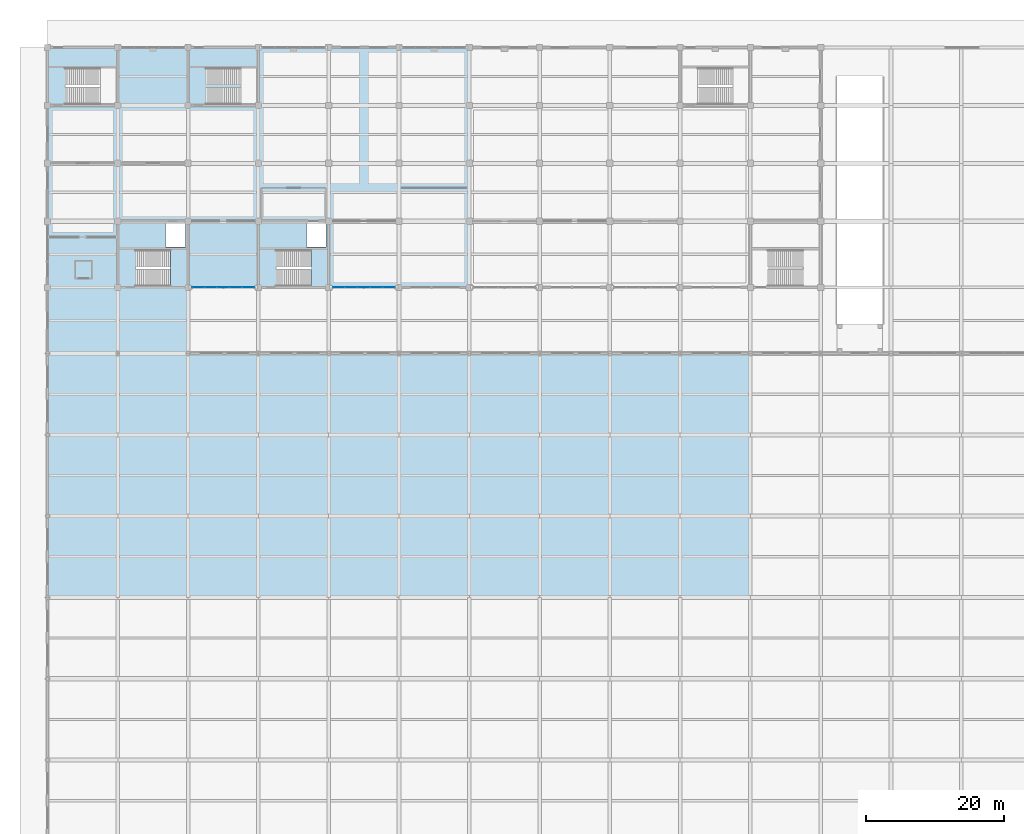
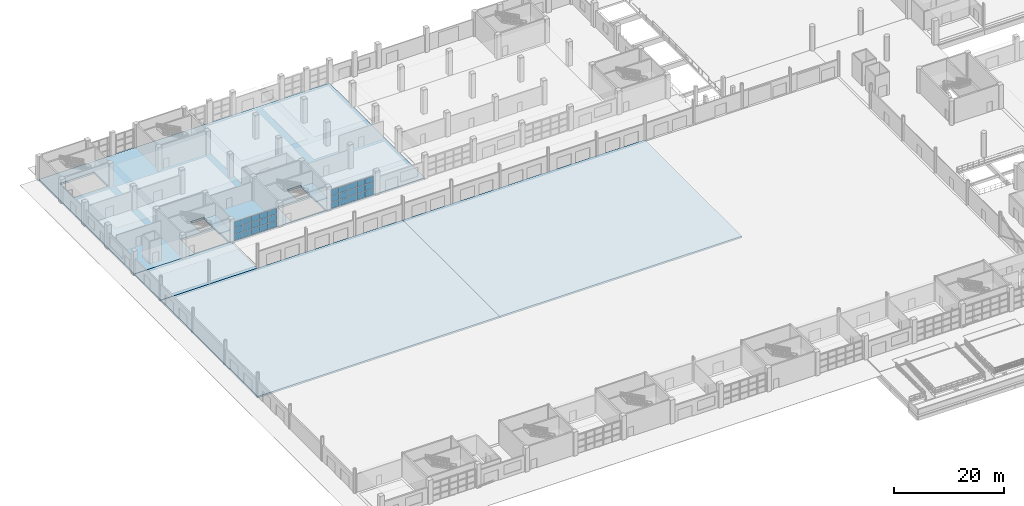
# One storey, part 75 of 124: 30 plates, 6 slabs, 4 elements without a shape of their own.
"""IFC4 building model written with IfcOpenShell, lengths in metres."""

import ifcopenshell
import ifcopenshell.guid

model = None  # the IFC model being written
_history = None  # IfcOwnerHistory: only IFC2X3 demands one
_inside = {}  # id of a spatial element -> (the spatial element, [elements in it])
_under = {}  # id of a project, library or spatial element -> (it, [spatial elements below it])
_declared = {}  # id of a project -> (the project, [libraries it declares])
_typed = {}  # id of a type object -> (the type object, [elements of that type])
_made_of = {}  # id of a material, layer set ... -> (it, [elements and type objects made of it])


def new_model(schema):
    """Start an empty IFC model of exactly this schema.

    Asked for "IFC4X3", IfcOpenShell would pick the latest addendum, in which some entities
    have other attributes; the version numbers below select the first issue.
    IFC2X3 requires an IfcOwnerHistory on every rooted entity: one is made here for all.
    """
    global model, _history
    if schema == "IFC4X3":
        model = ifcopenshell.file(schema_version=(4, 3, 0, 0))
    else:
        model = ifcopenshell.file(schema=schema)
    _inside.clear()
    _under.clear()
    _declared.clear()
    _typed.clear()
    _made_of.clear()
    _history = None
    if model.schema == "IFC2X3":
        org = make("IfcOrganization", Name="unknown")
        user = make(
            "IfcPersonAndOrganization",
            ThePerson=make("IfcPerson", FamilyName="unknown"),
            TheOrganization=org,
        )
        app = make(
            "IfcApplication",
            ApplicationDeveloper=org,
            Version="unknown",
            ApplicationFullName="unknown",
            ApplicationIdentifier="unknown",
        )
        _history = make(
            "IfcOwnerHistory",
            OwningUser=user,
            OwningApplication=app,
            ChangeAction="ADDED",
            CreationDate=0,
        )
    return model


def make(cls, **values):
    """One entity of the class cls with the attributes given. An attribute that is None is left unset."""
    return model.create_entity(
        cls, **{name: value for name, value in values.items() if value is not None}
    )


def rooted(cls, **values):
    """An entity with a GlobalId (a new one), such as an element, a storey or a relation."""
    return make(cls, GlobalId=ifcopenshell.guid.new(), OwnerHistory=_history, **values)


def si_unit(unit_type, name, prefix=None):
    """IfcSIUnit, for example si_unit("LENGTHUNIT", "METRE", prefix="MILLI")."""
    return make("IfcSIUnit", UnitType=unit_type, Prefix=prefix, Name=name)


def assignment(units):
    """IfcUnitAssignment: the units of a project."""
    return None if units is None else make("IfcUnitAssignment", Units=units)


def point(xyz):
    """IfcCartesianPoint."""
    return None if xyz is None else make("IfcCartesianPoint", Coordinates=xyz)


def direction(xyz):
    """IfcDirection."""
    return None if xyz is None else make("IfcDirection", DirectionRatios=xyz)


def frame(location, z_axis=None, x_axis=None):
    """IfcAxis2Placement3D, a coordinate frame: its origin and axes. An axis left out is left unset."""
    return make(
        "IfcAxis2Placement3D",
        Location=point(location),
        Axis=direction(z_axis),
        RefDirection=direction(x_axis),
    )


def frame_2d(location, x_axis=None):
    """IfcAxis2Placement2D, a coordinate frame in the plane: its origin and x axis."""
    return make(
        "IfcAxis2Placement2D", Location=point(location), RefDirection=direction(x_axis)
    )


def origin():
    """The frame at (0, 0, 0) with its axes left unset."""
    return frame((0.0, 0.0, 0.0))


def origin_2d():
    """The frame at (0, 0) in the plane with its x axis left unset."""
    return frame_2d((0.0, 0.0))


def place(relative_to, where):
    """IfcLocalPlacement: puts the frame where relative to a parent placement (None: the world)."""
    return make(
        "IfcLocalPlacement", PlacementRelTo=relative_to, RelativePlacement=where
    )


def context(
    kind, dimensions, precision=None, world=None, true_north=None, identifier=None
):
    """IfcGeometricRepresentationContext, for example the 3D "Model" context."""
    return make(
        "IfcGeometricRepresentationContext",
        ContextIdentifier=identifier,
        ContextType=kind,
        CoordinateSpaceDimension=dimensions,
        Precision=precision,
        WorldCoordinateSystem=world,
        TrueNorth=true_north,
    )


def subcontext(parent, identifier, kind, view, scale=None):
    """IfcGeometricRepresentationSubContext, for example "Body" below "Model"."""
    return make(
        "IfcGeometricRepresentationSubContext",
        ContextIdentifier=identifier,
        ContextType=kind,
        ParentContext=parent,
        TargetScale=scale,
        TargetView=view,
    )


def project(units=None, contexts=None):
    """IfcProject with its units and contexts."""
    return rooted(
        "IfcProject",
        Name="project",
        RepresentationContexts=contexts,
        UnitsInContext=assignment(units),
    )


def spatial(cls, under=None, at=None, **own):
    """A site, building, storey or space (cls), placed at a placement, below another one or the project."""
    s = rooted(cls, ObjectPlacement=at, **own)
    if under is not None:
        _under.setdefault(under.id(), (under, []))[1].append(s)
    return s


def polyline(points):
    """IfcPolyline through the points."""
    return make("IfcPolyline", Points=[point(p) for p in points])


def profile(cls, at=None, kind="AREA", **sizes):
    """A parametric profile (cls). Its sizes go by their IFC names, for example OverallWidth=200.0."""
    return make(cls, ProfileType=kind, Position=at, **sizes)


def rectangle(**sizes):
    """IfcRectangleProfileDef."""
    return profile("IfcRectangleProfileDef", **sizes)


def outline(outer, holes=None, kind="AREA"):
    """IfcArbitraryClosedProfileDef: a profile drawn as a closed curve; with holes, ...WithVoids."""
    if holes is None:
        return make("IfcArbitraryClosedProfileDef", ProfileType=kind, OuterCurve=outer)
    return make(
        "IfcArbitraryProfileDefWithVoids",
        ProfileType=kind,
        OuterCurve=outer,
        InnerCurves=holes,
    )


def extrude(swept, where, along, depth):
    """IfcExtrudedAreaSolid: the profile swept, set in the frame where, extruded along a direction by depth."""
    return make(
        "IfcExtrudedAreaSolid",
        SweptArea=swept,
        Position=where,
        ExtrudedDirection=direction(along),
        Depth=depth,
    )


def shape(context_of_items, identifier, shape_type, items):
    """IfcShapeRepresentation: the items that make up one representation, for example the "Body"."""
    return make(
        "IfcShapeRepresentation",
        ContextOfItems=context_of_items,
        RepresentationIdentifier=identifier,
        RepresentationType=shape_type,
        Items=items,
    )


def material(Name=None, Category=None):
    """IfcMaterial."""
    return make("IfcMaterial", Name=Name, Category=Category)


def layer(
    of_material, thickness, ventilated=None, Name=None, Category=None, Priority=None
):
    """IfcMaterialLayer: one layer of a wall or slab, of a material (None: an air gap)."""
    return make(
        "IfcMaterialLayer",
        Material=of_material,
        LayerThickness=thickness,
        IsVentilated=ventilated,
        Name=Name,
        Category=Category,
        Priority=Priority,
    )


def layer_set(layers, Name=None):
    """IfcMaterialLayerSet."""
    return make("IfcMaterialLayerSet", MaterialLayers=layers, LayerSetName=Name)


def made_of(thing, what):
    """Note that an element or type object is made of a material, layer set ...; save() writes the relation."""
    if what is not None:
        _made_of.setdefault(what.id(), (what, []))[1].append(thing)
    return thing


def type_object(cls, material=None, **own):
    """A type object (cls), such as IfcWallType, which elements share."""
    return made_of(rooted(cls, **own), material)


def element(
    cls,
    number,
    at=None,
    inside=None,
    cuts=None,
    type_object=None,
    material=None,
    context=None,
    identifier="Body",
    shape_type=None,
    held_by="IfcProductDefinitionShape",
    body=None,
    shapes=None,
    **own,
):
    """One element of the class cls, such as IfcWall. Its Tag is "e" and its number.

    at: its placement. inside: the storey or other place that contains it. cuts: it is an
    opening in that element (IfcRelVoidsElement). A single representation is given by context,
    identifier, shape_type and body (its items); several are given by shapes. held_by: the class
    of the entity that holds the representations. save() writes the other relations.
    """
    e = rooted(cls, Tag="e%d" % number, ObjectPlacement=at, **own)
    if body is not None:
        shapes = [shape(context, identifier, shape_type, body)]
    if shapes is not None:
        e.Representation = make(held_by, Representations=shapes)
    if inside is not None:
        _inside.setdefault(inside.id(), (inside, []))[1].append(e)
    if cuts is not None:
        rooted(
            "IfcRelVoidsElement", RelatingBuildingElement=cuts, RelatedOpeningElement=e
        )
    if type_object is not None:
        _typed.setdefault(type_object.id(), (type_object, []))[1].append(e)
    return made_of(e, material)


def aggregate(whole, parts):
    """IfcRelAggregates: a whole, such as a stair, and the parts it consists of."""
    return rooted("IfcRelAggregates", RelatingObject=whole, RelatedObjects=parts)


def save(model, path):
    """Write the relations noted so far, then the file.

    IfcRelAggregates (storeys below a building ...), IfcRelContainedInSpatialStructure (elements
    in a storey), IfcRelDefinesByType, IfcRelAssociatesMaterial and IfcRelDeclares: one each for
    every whole, place, type object, material and project.
    """
    for whole, parts in _under.values():
        aggregate(whole, parts)
    for where, things in _inside.values():
        rooted(
            "IfcRelContainedInSpatialStructure",
            RelatedElements=things,
            RelatingStructure=where,
        )
    for kind, things in _typed.values():
        rooted("IfcRelDefinesByType", RelatedObjects=things, RelatingType=kind)
    for what, things in _made_of.values():
        rooted("IfcRelAssociatesMaterial", RelatedObjects=things, RelatingMaterial=what)
    for by, libraries in _declared.values():
        rooted("IfcRelDeclares", RelatingContext=by, RelatedDefinitions=libraries)
    model.write(path)


model = new_model("IFC4")

# Units and contexts
model_context = context("Model", 3, precision=1e-05, world=origin(), true_north=direction((0.0, 1.0)))
body_context = subcontext(model_context, "Body", "Model", "MODEL_VIEW")
ifc_project = project(units=[si_unit("LENGTHUNIT", "METRE"), si_unit("AREAUNIT", "SQUARE_METRE"), si_unit("VOLUMEUNIT", "CUBIC_METRE"), si_unit("PLANEANGLEUNIT", "RADIAN"), si_unit("MASSUNIT", "GRAM", prefix="KILO")], contexts=[model_context])

# Site, building, storey
site_placement = place(None, origin())
site = spatial("IfcSite", under=ifc_project, at=site_placement, CompositionType="ELEMENT")
building_placement = place(site_placement, origin())
building = spatial("IfcBuilding", under=site, at=building_placement, Name="Brelvane Convention Centre", CompositionType="ELEMENT")
storey_placement = place(building_placement, origin())
storey = spatial("IfcBuildingStorey", under=building, at=storey_placement, Name="L00", CompositionType="ELEMENT", Elevation=0.0)

# Curtain wall, plates
ifc_material_1 = material(Name="Anodised Aluminium Alloy 6063-T6", Category="aluminium")
curtain_wall_type = type_object("IfcCurtainWallType", Name="Curtain Wall CW-COURT", PredefinedType="USERDEFINED", material=ifc_material_1)
curtain_wall_1_placement = place(storey_placement, origin())
curtain_wall_1 = element("IfcCurtainWall", 1, at=curtain_wall_1_placement, inside=storey, type_object=curtain_wall_type, Name="Curtain Wall CW-COURT L00-V4S-03", ObjectType="UNITISED", PredefinedType="USERDEFINED")
ifc_material_2 = material(Name="Double Glazed Low-E Laminated Unit")
ifc_layer_1 = layer(ifc_material_2, 0.031982421875)
ifc_layer_set_1 = layer_set([ifc_layer_1], Name="Double Glazed Low-E Laminated Unit")
plate_type = type_object("IfcPlateType", Name="Curtain Panel CW-PG1", PredefinedType="CURTAIN_PANEL", material=ifc_layer_set_1)
plate_1_placement = place(storey_placement, frame((21.878662109375, 109.199951171875, 0.06982421875), z_axis=(0.0, 0.0, 1.0), x_axis=(1.0, 0.0, 0.0)))
plate_1 = element("IfcPlate", 2, at=plate_1_placement, type_object=plate_type, Name="CW-COURT panel 1.1", PredefinedType="CURTAIN_PANEL", context=body_context, shape_type="SweptSolid", body=[
    extrude(rectangle(XDim=1.70751953125, YDim=0.031982421875, at=origin_2d()), origin(), (0.0, 0.0, 1.0), 1.328369140625),
])
plate_2_placement = place(storey_placement, frame((21.878662109375, 109.199951171875, 1.46826171875), z_axis=(0.0, 0.0, 1.0), x_axis=(1.0, 0.0, 0.0)))
plate_2 = element("IfcPlate", 3, at=plate_2_placement, type_object=plate_type, Name="CW-COURT panel 1.2", PredefinedType="CURTAIN_PANEL", context=body_context, shape_type="SweptSolid", body=[
    extrude(rectangle(XDim=1.70751953125, YDim=0.031982421875, at=origin_2d()), origin(), (0.0, 0.0, 1.0), 1.36328125),
])
plate_3_placement = place(storey_placement, frame((21.878662109375, 109.199951171875, 2.90185546875), z_axis=(0.0, 0.0, 1.0), x_axis=(1.0, 0.0, 0.0)))
plate_3 = element("IfcPlate", 4, at=plate_3_placement, type_object=plate_type, Name="CW-COURT panel 1.3", PredefinedType="CURTAIN_PANEL", context=body_context, shape_type="SweptSolid", body=[
    extrude(rectangle(XDim=1.70751953125, YDim=0.031982421875, at=origin_2d()), origin(), (0.0, 0.0, 1.0), 1.328369140625),
])
plate_4_placement = place(storey_placement, frame((23.679931640625, 109.199951171875, 0.06982421875), z_axis=(0.0, 0.0, 1.0), x_axis=(1.0, 0.0, 0.0)))
plate_4 = element("IfcPlate", 5, at=plate_4_placement, type_object=plate_type, Name="CW-COURT panel 2.1", PredefinedType="CURTAIN_PANEL", context=body_context, shape_type="SweptSolid", body=[
    extrude(rectangle(XDim=1.7451171875, YDim=0.031982421875, at=origin_2d()), origin(), (0.0, 0.0, 1.0), 1.328369140625),
])
plate_5_placement = place(storey_placement, frame((23.679931640625, 109.199951171875, 1.46826171875), z_axis=(0.0, 0.0, 1.0), x_axis=(1.0, 0.0, 0.0)))
plate_5 = element("IfcPlate", 6, at=plate_5_placement, type_object=plate_type, Name="CW-COURT panel 2.2", PredefinedType="CURTAIN_PANEL", context=body_context, shape_type="SweptSolid", body=[
    extrude(rectangle(XDim=1.7451171875, YDim=0.031982421875, at=origin_2d()), origin(), (0.0, 0.0, 1.0), 1.36328125),
])
plate_6_placement = place(storey_placement, frame((23.679931640625, 109.199951171875, 2.90185546875), z_axis=(0.0, 0.0, 1.0), x_axis=(1.0, 0.0, 0.0)))
plate_6 = element("IfcPlate", 7, at=plate_6_placement, type_object=plate_type, Name="CW-COURT panel 2.3", PredefinedType="CURTAIN_PANEL", context=body_context, shape_type="SweptSolid", body=[
    extrude(rectangle(XDim=1.7451171875, YDim=0.031982421875, at=origin_2d()), origin(), (0.0, 0.0, 1.0), 1.328369140625),
])
plate_7_placement = place(storey_placement, frame((25.5, 109.199951171875, 0.06982421875), z_axis=(0.0, 0.0, 1.0), x_axis=(1.0, 0.0, 0.0)))
plate_7 = element("IfcPlate", 8, at=plate_7_placement, type_object=plate_type, Name="CW-COURT panel 3.1", PredefinedType="CURTAIN_PANEL", context=body_context, shape_type="SweptSolid", body=[
    extrude(rectangle(XDim=1.7451171875, YDim=0.031982421875, at=origin_2d()), origin(), (0.0, 0.0, 1.0), 1.328369140625),
])
plate_8_placement = place(storey_placement, frame((25.5, 109.199951171875, 1.46826171875), z_axis=(0.0, 0.0, 1.0), x_axis=(1.0, 0.0, 0.0)))
plate_8 = element("IfcPlate", 9, at=plate_8_placement, type_object=plate_type, Name="CW-COURT panel 3.2", PredefinedType="CURTAIN_PANEL", context=body_context, shape_type="SweptSolid", body=[
    extrude(rectangle(XDim=1.7451171875, YDim=0.031982421875, at=origin_2d()), origin(), (0.0, 0.0, 1.0), 1.36328125),
])
plate_9_placement = place(storey_placement, frame((25.5, 109.199951171875, 2.90185546875), z_axis=(0.0, 0.0, 1.0), x_axis=(1.0, 0.0, 0.0)))
plate_9 = element("IfcPlate", 10, at=plate_9_placement, type_object=plate_type, Name="CW-COURT panel 3.3", PredefinedType="CURTAIN_PANEL", context=body_context, shape_type="SweptSolid", body=[
    extrude(rectangle(XDim=1.7451171875, YDim=0.031982421875, at=origin_2d()), origin(), (0.0, 0.0, 1.0), 1.328369140625),
])
plate_10_placement = place(storey_placement, frame((27.320068359375, 109.199951171875, 0.06982421875), z_axis=(0.0, 0.0, 1.0), x_axis=(1.0, 0.0, 0.0)))
plate_10 = element("IfcPlate", 11, at=plate_10_placement, type_object=plate_type, Name="CW-COURT panel 4.1", PredefinedType="CURTAIN_PANEL", context=body_context, shape_type="SweptSolid", body=[
    extrude(rectangle(XDim=1.7451171875, YDim=0.031982421875, at=origin_2d()), origin(), (0.0, 0.0, 1.0), 1.328369140625),
])
plate_11_placement = place(storey_placement, frame((27.320068359375, 109.199951171875, 1.46826171875), z_axis=(0.0, 0.0, 1.0), x_axis=(1.0, 0.0, 0.0)))
plate_11 = element("IfcPlate", 12, at=plate_11_placement, type_object=plate_type, Name="CW-COURT panel 4.2", PredefinedType="CURTAIN_PANEL", context=body_context, shape_type="SweptSolid", body=[
    extrude(rectangle(XDim=1.7451171875, YDim=0.031982421875, at=origin_2d()), origin(), (0.0, 0.0, 1.0), 1.36328125),
])
plate_12_placement = place(storey_placement, frame((27.320068359375, 109.199951171875, 2.90185546875), z_axis=(0.0, 0.0, 1.0), x_axis=(1.0, 0.0, 0.0)))
plate_12 = element("IfcPlate", 13, at=plate_12_placement, type_object=plate_type, Name="CW-COURT panel 4.3", PredefinedType="CURTAIN_PANEL", context=body_context, shape_type="SweptSolid", body=[
    extrude(rectangle(XDim=1.7451171875, YDim=0.031982421875, at=origin_2d()), origin(), (0.0, 0.0, 1.0), 1.328369140625),
])
plate_13_placement = place(storey_placement, frame((29.121337890625, 109.199951171875, 0.06982421875), z_axis=(0.0, 0.0, 1.0), x_axis=(1.0, 0.0, 0.0)))
plate_13 = element("IfcPlate", 14, at=plate_13_placement, type_object=plate_type, Name="CW-COURT panel 5.1", PredefinedType="CURTAIN_PANEL", context=body_context, shape_type="SweptSolid", body=[
    extrude(rectangle(XDim=1.70751953125, YDim=0.031982421875, at=origin_2d()), origin(), (0.0, 0.0, 1.0), 1.328369140625),
])
plate_14_placement = place(storey_placement, frame((29.121337890625, 109.199951171875, 1.46826171875), z_axis=(0.0, 0.0, 1.0), x_axis=(1.0, 0.0, 0.0)))
plate_14 = element("IfcPlate", 15, at=plate_14_placement, type_object=plate_type, Name="CW-COURT panel 5.2", PredefinedType="CURTAIN_PANEL", context=body_context, shape_type="SweptSolid", body=[
    extrude(rectangle(XDim=1.70751953125, YDim=0.031982421875, at=origin_2d()), origin(), (0.0, 0.0, 1.0), 1.36328125),
])
plate_15_placement = place(storey_placement, frame((29.121337890625, 109.199951171875, 2.90185546875), z_axis=(0.0, 0.0, 1.0), x_axis=(1.0, 0.0, 0.0)))
plate_15 = element("IfcPlate", 16, at=plate_15_placement, type_object=plate_type, Name="CW-COURT panel 5.3", PredefinedType="CURTAIN_PANEL", context=body_context, shape_type="SweptSolid", body=[
    extrude(rectangle(XDim=1.70751953125, YDim=0.031982421875, at=origin_2d()), origin(), (0.0, 0.0, 1.0), 1.328369140625),
])
aggregate(curtain_wall_1, [plate_1, plate_2, plate_3, plate_4, plate_5, plate_6, plate_7, plate_8, plate_9, plate_10, plate_11, plate_12, plate_13, plate_14, plate_15])

curtain_wall_2_placement = place(storey_placement, origin())
curtain_wall_2 = element("IfcCurtainWall", 17, at=curtain_wall_2_placement, inside=storey, type_object=curtain_wall_type, Name="Curtain Wall CW-COURT L00-V4S-05", ObjectType="UNITISED", PredefinedType="USERDEFINED")
plate_16_placement = place(storey_placement, frame((42.27880859375, 109.199951171875, 0.06982421875), z_axis=(0.0, 0.0, 1.0), x_axis=(1.0, 0.0, 0.0)))
plate_16 = element("IfcPlate", 18, at=plate_16_placement, type_object=plate_type, Name="CW-COURT panel 1.1", PredefinedType="CURTAIN_PANEL", context=body_context, shape_type="SweptSolid", body=[
    extrude(rectangle(XDim=1.70751953125, YDim=0.031982421875, at=origin_2d()), origin(), (0.0, 0.0, 1.0), 1.328369140625),
])
plate_17_placement = place(storey_placement, frame((42.27880859375, 109.199951171875, 1.46826171875), z_axis=(0.0, 0.0, 1.0), x_axis=(1.0, 0.0, 0.0)))
plate_17 = element("IfcPlate", 19, at=plate_17_placement, type_object=plate_type, Name="CW-COURT panel 1.2", PredefinedType="CURTAIN_PANEL", context=body_context, shape_type="SweptSolid", body=[
    extrude(rectangle(XDim=1.70751953125, YDim=0.031982421875, at=origin_2d()), origin(), (0.0, 0.0, 1.0), 1.36328125),
])
plate_18_placement = place(storey_placement, frame((42.27880859375, 109.199951171875, 2.90185546875), z_axis=(0.0, 0.0, 1.0), x_axis=(1.0, 0.0, 0.0)))
plate_18 = element("IfcPlate", 20, at=plate_18_placement, type_object=plate_type, Name="CW-COURT panel 1.3", PredefinedType="CURTAIN_PANEL", context=body_context, shape_type="SweptSolid", body=[
    extrude(rectangle(XDim=1.70751953125, YDim=0.031982421875, at=origin_2d()), origin(), (0.0, 0.0, 1.0), 1.328369140625),
])
plate_19_placement = place(storey_placement, frame((44.080078125, 109.199951171875, 0.06982421875), z_axis=(0.0, 0.0, 1.0), x_axis=(1.0, 0.0, 0.0)))
plate_19 = element("IfcPlate", 21, at=plate_19_placement, type_object=plate_type, Name="CW-COURT panel 2.1", PredefinedType="CURTAIN_PANEL", context=body_context, shape_type="SweptSolid", body=[
    extrude(rectangle(XDim=1.7451171875, YDim=0.031982421875, at=origin_2d()), origin(), (0.0, 0.0, 1.0), 1.328369140625),
])
plate_20_placement = place(storey_placement, frame((44.080078125, 109.199951171875, 1.46826171875), z_axis=(0.0, 0.0, 1.0), x_axis=(1.0, 0.0, 0.0)))
plate_20 = element("IfcPlate", 22, at=plate_20_placement, type_object=plate_type, Name="CW-COURT panel 2.2", PredefinedType="CURTAIN_PANEL", context=body_context, shape_type="SweptSolid", body=[
    extrude(rectangle(XDim=1.7451171875, YDim=0.031982421875, at=origin_2d()), origin(), (0.0, 0.0, 1.0), 1.36328125),
])
plate_21_placement = place(storey_placement, frame((44.080078125, 109.199951171875, 2.90185546875), z_axis=(0.0, 0.0, 1.0), x_axis=(1.0, 0.0, 0.0)))
plate_21 = element("IfcPlate", 23, at=plate_21_placement, type_object=plate_type, Name="CW-COURT panel 2.3", PredefinedType="CURTAIN_PANEL", context=body_context, shape_type="SweptSolid", body=[
    extrude(rectangle(XDim=1.7451171875, YDim=0.031982421875, at=origin_2d()), origin(), (0.0, 0.0, 1.0), 1.328369140625),
])
plate_22_placement = place(storey_placement, frame((45.89990234375, 109.199951171875, 0.06982421875), z_axis=(0.0, 0.0, 1.0), x_axis=(1.0, 0.0, 0.0)))
plate_22 = element("IfcPlate", 24, at=plate_22_placement, type_object=plate_type, Name="CW-COURT panel 3.1", PredefinedType="CURTAIN_PANEL", context=body_context, shape_type="SweptSolid", body=[
    extrude(rectangle(XDim=1.7451171875, YDim=0.031982421875, at=origin_2d()), origin(), (0.0, 0.0, 1.0), 1.328369140625),
])
plate_23_placement = place(storey_placement, frame((45.89990234375, 109.199951171875, 1.46826171875), z_axis=(0.0, 0.0, 1.0), x_axis=(1.0, 0.0, 0.0)))
plate_23 = element("IfcPlate", 25, at=plate_23_placement, type_object=plate_type, Name="CW-COURT panel 3.2", PredefinedType="CURTAIN_PANEL", context=body_context, shape_type="SweptSolid", body=[
    extrude(rectangle(XDim=1.7451171875, YDim=0.031982421875, at=origin_2d()), origin(), (0.0, 0.0, 1.0), 1.36328125),
])
plate_24_placement = place(storey_placement, frame((45.89990234375, 109.199951171875, 2.90185546875), z_axis=(0.0, 0.0, 1.0), x_axis=(1.0, 0.0, 0.0)))
plate_24 = element("IfcPlate", 26, at=plate_24_placement, type_object=plate_type, Name="CW-COURT panel 3.3", PredefinedType="CURTAIN_PANEL", context=body_context, shape_type="SweptSolid", body=[
    extrude(rectangle(XDim=1.7451171875, YDim=0.031982421875, at=origin_2d()), origin(), (0.0, 0.0, 1.0), 1.328369140625),
])
plate_25_placement = place(storey_placement, frame((47.719970703125, 109.199951171875, 0.06982421875), z_axis=(0.0, 0.0, 1.0), x_axis=(1.0, 0.0, 0.0)))
plate_25 = element("IfcPlate", 27, at=plate_25_placement, type_object=plate_type, Name="CW-COURT panel 4.1", PredefinedType="CURTAIN_PANEL", context=body_context, shape_type="SweptSolid", body=[
    extrude(rectangle(XDim=1.7451171875, YDim=0.031982421875, at=origin_2d()), origin(), (0.0, 0.0, 1.0), 1.328369140625),
])
plate_26_placement = place(storey_placement, frame((47.719970703125, 109.199951171875, 1.46826171875), z_axis=(0.0, 0.0, 1.0), x_axis=(1.0, 0.0, 0.0)))
plate_26 = element("IfcPlate", 28, at=plate_26_placement, type_object=plate_type, Name="CW-COURT panel 4.2", PredefinedType="CURTAIN_PANEL", context=body_context, shape_type="SweptSolid", body=[
    extrude(rectangle(XDim=1.7451171875, YDim=0.031982421875, at=origin_2d()), origin(), (0.0, 0.0, 1.0), 1.36328125),
])
plate_27_placement = place(storey_placement, frame((47.719970703125, 109.199951171875, 2.90185546875), z_axis=(0.0, 0.0, 1.0), x_axis=(1.0, 0.0, 0.0)))
plate_27 = element("IfcPlate", 29, at=plate_27_placement, type_object=plate_type, Name="CW-COURT panel 4.3", PredefinedType="CURTAIN_PANEL", context=body_context, shape_type="SweptSolid", body=[
    extrude(rectangle(XDim=1.7451171875, YDim=0.031982421875, at=origin_2d()), origin(), (0.0, 0.0, 1.0), 1.328369140625),
])
plate_28_placement = place(storey_placement, frame((49.521240234375, 109.199951171875, 0.06982421875), z_axis=(0.0, 0.0, 1.0), x_axis=(1.0, 0.0, 0.0)))
plate_28 = element("IfcPlate", 30, at=plate_28_placement, type_object=plate_type, Name="CW-COURT panel 5.1", PredefinedType="CURTAIN_PANEL", context=body_context, shape_type="SweptSolid", body=[
    extrude(rectangle(XDim=1.70751953125, YDim=0.031982421875, at=origin_2d()), origin(), (0.0, 0.0, 1.0), 1.328369140625),
])
plate_29_placement = place(storey_placement, frame((49.521240234375, 109.199951171875, 1.46826171875), z_axis=(0.0, 0.0, 1.0), x_axis=(1.0, 0.0, 0.0)))
plate_29 = element("IfcPlate", 31, at=plate_29_placement, type_object=plate_type, Name="CW-COURT panel 5.2", PredefinedType="CURTAIN_PANEL", context=body_context, shape_type="SweptSolid", body=[
    extrude(rectangle(XDim=1.70751953125, YDim=0.031982421875, at=origin_2d()), origin(), (0.0, 0.0, 1.0), 1.36328125),
])
plate_30_placement = place(storey_placement, frame((49.521240234375, 109.199951171875, 2.90185546875), z_axis=(0.0, 0.0, 1.0), x_axis=(1.0, 0.0, 0.0)))
plate_30 = element("IfcPlate", 32, at=plate_30_placement, type_object=plate_type, Name="CW-COURT panel 5.3", PredefinedType="CURTAIN_PANEL", context=body_context, shape_type="SweptSolid", body=[
    extrude(rectangle(XDim=1.70751953125, YDim=0.031982421875, at=origin_2d()), origin(), (0.0, 0.0, 1.0), 1.328369140625),
])
aggregate(curtain_wall_2, [plate_16, plate_17, plate_18, plate_19, plate_20, plate_21, plate_22, plate_23, plate_24, plate_25, plate_26, plate_27, plate_28, plate_29, plate_30])

# Stair, slab
ifc_material_3 = material(Name="Concrete M40", Category="concrete")
stair_type = type_object("IfcStairType", Name="Exit Stair ST-CORE", PredefinedType="HALF_TURN_STAIR", material=ifc_material_3)
stair_1_placement = place(storey_placement, origin())
stair_1 = element("IfcStair", 33, at=stair_1_placement, inside=storey, type_object=stair_type, Name="Exit Stair ST-06 (L00 to L01)", PredefinedType="HALF_TURN_STAIR")
ifc_material_4 = material(Name="Concrete M40", Category="concrete")
ifc_layer_2 = layer(ifc_material_4, 0.199951171875)
ifc_layer_set_2 = layer_set([ifc_layer_2], Name="Concrete M40")
slab_type_1 = type_object("IfcSlabType", Name="Stair Landing SL-LND-200", PredefinedType="LANDING", material=ifc_layer_set_2)
slab_1_placement = place(storey_placement, frame((0.0, 0.0, 2.5)))
slab_1 = element("IfcSlab", 34, at=slab_1_placement, type_object=slab_type_1, Name="Stair ST-06 L00 Half Landing", PredefinedType="LANDING", context=body_context, shape_type="SweptSolid", body=[
    extrude(outline(polyline([(17.820068359375, 109.280029296875), (20.320068359375, 109.280029296875), (20.320068359375, 114.719970703125), (17.820068359375, 114.719970703125), (17.820068359375, 109.280029296875)])), origin(), (0.0, 0.0, 1.0), 0.199951171875),
])
aggregate(stair_1, [slab_1])

stair_2_placement = place(storey_placement, origin())
stair_2 = element("IfcStair", 35, at=stair_2_placement, inside=storey, type_object=stair_type, Name="Exit Stair ST-07 (L00 to L01)", PredefinedType="HALF_TURN_STAIR")
slab_2_placement = place(storey_placement, frame((0.0, 0.0, 2.5)))
slab_2 = element("IfcSlab", 36, at=slab_2_placement, type_object=slab_type_1, Name="Stair ST-07 L00 Half Landing", PredefinedType="LANDING", context=body_context, shape_type="SweptSolid", body=[
    extrude(outline(polyline([(38.219970703125, 109.280029296875), (40.719970703125, 109.280029296875), (40.719970703125, 114.719970703125), (38.219970703125, 114.719970703125), (38.219970703125, 109.280029296875)])), origin(), (0.0, 0.0, 1.0), 0.199951171875),
])
aggregate(stair_2, [slab_2])

# Slabs
ifc_material_5 = material(Name="Concrete M40", Category="concrete")
ifc_layer_3 = layer(ifc_material_5, 0.3798828125)
ifc_layer_set_3 = layer_set([ifc_layer_3], Name="Concrete M40")
slab_type_2 = type_object("IfcSlabType", Name="Structural Slab SL-EXH-380", PredefinedType="FLOOR", material=ifc_layer_set_3)
slab_3_placement = place(storey_placement, frame((0.0, 0.0, -0.3798828125)))
element("IfcSlab", 37, at=slab_3_placement, inside=storey, type_object=slab_type_2, Name="L00 ExhHall Slab EH4", PredefinedType="FLOOR", context=body_context, shape_type="SweptSolid", body=[
    extrude(outline(polyline([(0.0, 64.199951171875), (51.0, 64.199951171875), (51.0, 99.60009765625), (0.0, 99.60009765625), (0.0, 64.199951171875)])), origin(), (0.0, 0.0, 1.0), 0.3798828125),
])
slab_4_placement = place(storey_placement, frame((0.0, 0.0, -0.3798828125)))
element("IfcSlab", 38, at=slab_4_placement, inside=storey, type_object=slab_type_2, Name="L00 ExhHall Slab EH5", PredefinedType="FLOOR", context=body_context, shape_type="SweptSolid", body=[
    extrude(outline(polyline([(51.0, 64.199951171875), (102.0, 64.199951171875), (102.0, 99.60009765625), (51.0, 99.60009765625), (51.0, 64.199951171875)])), origin(), (0.0, 0.0, 1.0), 0.3798828125),
])
ifc_material_6 = material(Name="Concrete M40", Category="concrete")
ifc_layer_4 = layer(ifc_material_6, 0.39990234375)
ifc_layer_set_4 = layer_set([ifc_layer_4], Name="Concrete M40")
slab_type_3 = type_object("IfcSlabType", Name="Structural Slab SL-PLINTH-400", PredefinedType="BASESLAB", material=ifc_layer_set_4)
slab_5_placement = place(storey_placement, frame((0.0, 0.0, -0.39990234375)))
element("IfcSlab", 39, at=slab_5_placement, inside=storey, type_object=slab_type_3, Name="L00 Podium Slab MEET-L", PredefinedType="BASESLAB", context=body_context, shape_type="SweptSolid", body=[
    extrude(outline(polyline([(0.0, 99.60009765625), (20.39990234375, 99.60009765625), (20.39990234375, 109.199951171875), (0.0, 109.199951171875), (0.0, 99.60009765625)])), origin(), (0.0, 0.0, 1.0), 0.39990234375),
])
ifc_material_7 = material(Name="Concrete M40", Category="concrete")
ifc_layer_5 = layer(ifc_material_7, 0.4150390625)
ifc_layer_set_5 = layer_set([ifc_layer_5], Name="Concrete M40")
slab_type_4 = type_object("IfcSlabType", Name="Structural Slab SL-POD-415", PredefinedType="FLOOR", material=ifc_layer_set_5)
slab_6_placement = place(storey_placement, frame((0.0, 0.0, -0.4150390625)))
element("IfcSlab", 40, at=slab_6_placement, inside=storey, type_object=slab_type_4, Name="L00 PodMeetW Slab MEET-W", PredefinedType="FLOOR", context=body_context, shape_type="SweptSolid", body=[
    extrude(outline(polyline([(0.0, 109.199951171875), (61.199951171875, 109.199951171875), (61.199951171875, 144.0), (0.0, 144.0), (0.0, 109.199951171875)]), holes=[polyline([(12.800048828125, 109.449951171875), (20.050048828125, 109.449951171875), (20.050048828125, 114.550048828125), (12.800048828125, 114.550048828125), (12.800048828125, 109.449951171875)]), polyline([(17.14990234375, 115.050048828125), (20.0, 115.050048828125), (20.0, 118.449951171875), (17.14990234375, 118.449951171875), (17.14990234375, 115.050048828125)]), polyline([(33.199951171875, 109.449951171875), (40.449951171875, 109.449951171875), (40.449951171875, 114.550048828125), (33.199951171875, 114.550048828125), (33.199951171875, 109.449951171875)]), polyline([(37.550048828125, 115.050048828125), (40.39990234375, 115.050048828125), (40.39990234375, 118.449951171875), (37.550048828125, 118.449951171875), (37.550048828125, 115.050048828125)]), polyline([(2.60009765625, 135.85009765625), (9.85009765625, 135.85009765625), (9.85009765625, 140.949951171875), (2.60009765625, 140.949951171875), (2.60009765625, 135.85009765625)])]), origin(), (0.0, 0.0, 1.0), 0.4150390625),
])

save(model, "model.ifc")
